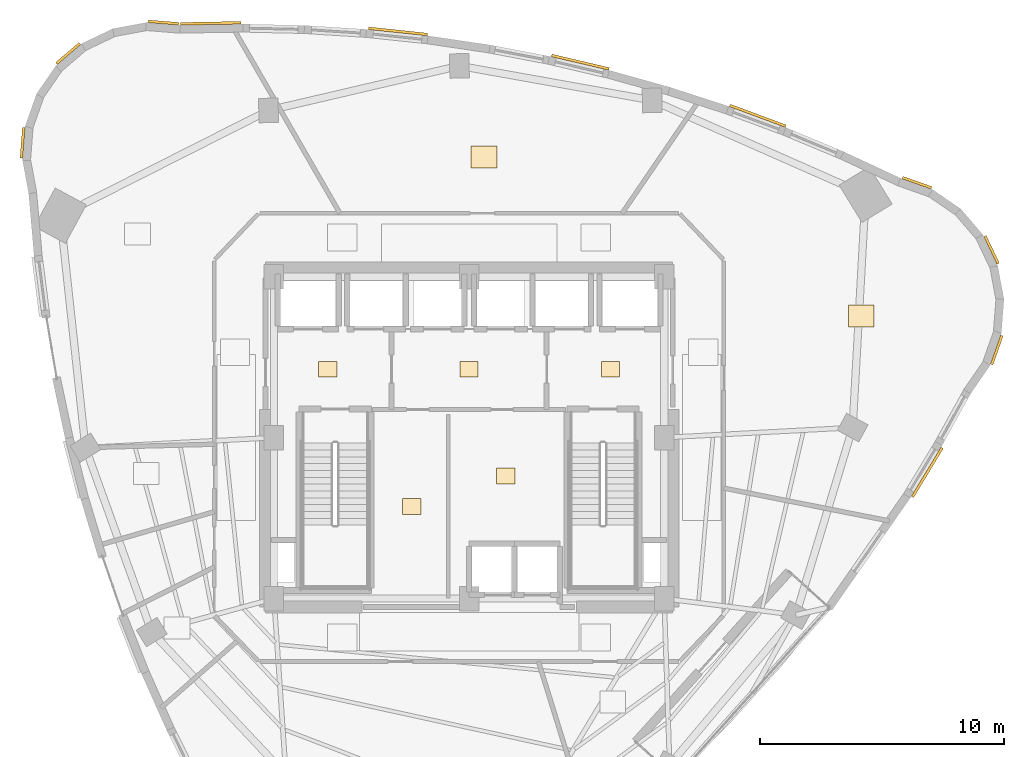
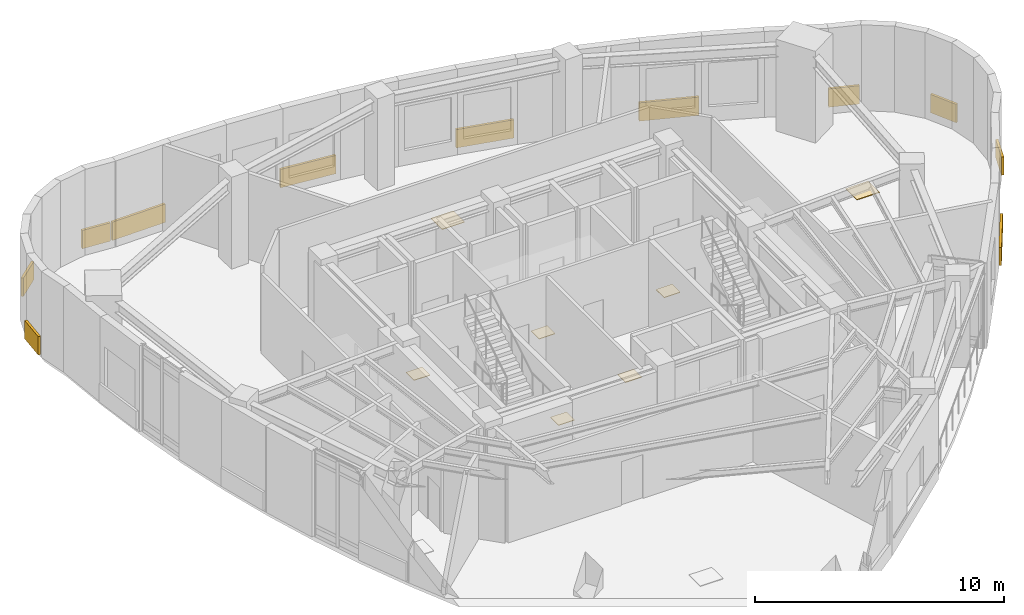
# One storey, part 18 of 18: 18 coverings.
"""IFC4 building model written with IfcOpenShell, lengths in metres."""

from ifc_helpers import new_model, si_unit, direction, frame, origin, origin_2d, place, context, subcontext, project, spatial, rectangle, extrude, material, layer, layer_set, type_object, element, save


model = new_model("IFC4")

# Units and contexts
model_context = context("Model", 3, precision=1e-05, world=origin(), true_north=direction((0.0, 1.0)))
body_context = subcontext(model_context, "Body", "Model", "MODEL_VIEW")
ifc_project = project(units=[si_unit("LENGTHUNIT", "METRE"), si_unit("AREAUNIT", "SQUARE_METRE"), si_unit("VOLUMEUNIT", "CUBIC_METRE"), si_unit("PLANEANGLEUNIT", "RADIAN"), si_unit("MASSUNIT", "GRAM", prefix="KILO")], contexts=[model_context])

# Site, building, storey
site_placement = place(None, origin())
site = spatial("IfcSite", under=ifc_project, at=site_placement, CompositionType="ELEMENT")
building_placement = place(site_placement, origin())
building = spatial("IfcBuilding", under=site, at=building_placement, Name="Ndelora Gate Hotel", CompositionType="ELEMENT")
storey_placement = place(building_placement, frame((0.0, 0.0, 173.75)))
storey = spatial("IfcBuildingStorey", under=building, at=storey_placement, Name="L43", CompositionType="ELEMENT", Elevation=173.75)

# Coverings
ifc_material_1 = material(Name="Terracotta Fired Clay Brick Slip Cladding", Category="masonry")
ifc_layer_1 = layer(ifc_material_1, 0.110107421875)
ifc_layer_set_1 = layer_set([ifc_layer_1], Name="Terracotta Fired Clay Brick Slip Cladding")
covering_type_1 = type_object("IfcCoveringType", Name="COV-CLAD-BRK", PredefinedType="CLADDING", material=ifc_layer_set_1)
for number, where, z_axis, x_axis, name in (
    (1, (-12.5302734375, 17.019287109375, 0.10009765625), (0.0, 0.0, 1.0), (-0.996917333733, 0.078459095728, 0.0), "L43 Rounded-Corner Brick Cladding Band 1"),
    (2, (-16.44189453125, 15.748291015625, 0.10009765625), (0.0, 0.0, 1.0), (0.7604059656, 0.64944804833, 0.0), "L43 Rounded-Corner Brick Cladding Band 4"),
    (3, (-18.30908203125, 12.08349609375, 0.10009765625), (0.0, 0.0, 1.0), (0.078459095728, 0.996917333733, 0.0), "L43 Rounded-Corner Brick Cladding Band 7"),
):
    element("IfcCovering", number, at=place(storey_placement, frame(where, z_axis=z_axis, x_axis=x_axis)), inside=storey, type_object=covering_type_1, Name=name, PredefinedType="CLADDING", context=body_context, shape_type="SweptSolid", body=[
        extrude(rectangle(XDim=1.257080078125, YDim=0.110107421875, at=origin_2d()), origin(), (0.0, 0.0, 1.0), 0.89990234375),
    ])
covering_1_placement = place(storey_placement, frame((18.7900390625, -1.427734375, 0.10009765625), z_axis=(0.0, 0.0, 1.0), x_axis=(0.517579070704, 0.855635381204, 0.0)))
element("IfcCovering", 4, at=covering_1_placement, inside=storey, type_object=covering_type_1, Name="L43 Rounded-Corner Brick Cladding Band 37", PredefinedType="CLADDING", context=body_context, shape_type="SweptSolid", body=[
    extrude(rectangle(XDim=2.35888671875, YDim=0.110107421875, at=origin_2d()), origin(), (0.0, 0.0, 1.0), 0.89990234375),
])
covering_2_placement = place(storey_placement, frame((21.64111328125, 3.591796875, 0.10009765625), z_axis=(0.0, 0.0, 1.0), x_axis=(0.333806859234, 0.942641491092, 0.0)))
element("IfcCovering", 5, at=covering_2_placement, inside=storey, type_object=covering_type_1, Name="L43 Rounded-Corner Brick Cladding Band 40", PredefinedType="CLADDING", context=body_context, shape_type="SweptSolid", body=[
    extrude(rectangle(XDim=1.257080078125, YDim=0.110107421875, at=origin_2d()), origin(), (0.0, 0.0, 1.0), 0.89990234375),
])
covering_3_placement = place(storey_placement, frame((21.42578125, 7.69921875, 0.10009765625), z_axis=(0.0, 0.0, 1.0), x_axis=(-0.430511096808, 0.90258528435, 0.0)))
element("IfcCovering", 6, at=covering_3_placement, inside=storey, type_object=covering_type_1, Name="L43 Rounded-Corner Brick Cladding Band 43", PredefinedType="CLADDING", context=body_context, shape_type="SweptSolid", body=[
    extrude(rectangle(XDim=1.258056640625, YDim=0.110107421875, at=origin_2d()), origin(), (0.0, 0.0, 1.0), 0.89990234375),
])
covering_4_placement = place(storey_placement, frame((18.369140625, 10.451416015625, 0.10009765625), z_axis=(0.0, 0.0, 1.0), x_axis=(-0.942641491092, 0.333806859234, 0.0)))
element("IfcCovering", 7, at=covering_4_placement, inside=storey, type_object=covering_type_1, Name="L43 Rounded-Corner Brick Cladding Band 46", PredefinedType="CLADDING", context=body_context, shape_type="SweptSolid", body=[
    extrude(rectangle(XDim=1.257080078125, YDim=0.110107421875, at=origin_2d()), origin(), (0.0, 0.0, 1.0), 0.89990234375),
])
covering_5_placement = place(storey_placement, frame((11.8388671875, 13.197509765625, 0.10009765625), z_axis=(0.0, 0.0, 1.0), x_axis=(-0.937525110258, 0.347917616161, 0.0)))
element("IfcCovering", 8, at=covering_5_placement, inside=storey, type_object=covering_type_1, Name="L43 Rounded-Corner Brick Cladding Band 49", PredefinedType="CLADDING", context=body_context, shape_type="SweptSolid", body=[
    extrude(rectangle(XDim=2.443115234375, YDim=0.110107421875, at=origin_2d()), origin(), (0.0, 0.0, 1.0), 0.89990234375),
])
covering_6_placement = place(storey_placement, frame((4.5625, 15.39404296875, 0.10009765625), z_axis=(0.0, 0.0, 1.0), x_axis=(-0.973578902873, 0.228350870111, 0.0)))
element("IfcCovering", 9, at=covering_6_placement, inside=storey, type_object=covering_type_1, Name="L43 Rounded-Corner Brick Cladding Band 52", PredefinedType="CLADDING", context=body_context, shape_type="SweptSolid", body=[
    extrude(rectangle(XDim=2.416015625, YDim=0.110107421875, at=origin_2d()), origin(), (0.0, 0.0, 1.0), 0.89990234375),
])
covering_7_placement = place(storey_placement, frame((-2.911865234375, 16.657958984375, 0.10009765625), z_axis=(0.0, 0.0, 1.0), x_axis=(-0.994503636562, 0.10470203849, 0.0)))
element("IfcCovering", 10, at=covering_7_placement, inside=storey, type_object=covering_type_1, Name="L43 Rounded-Corner Brick Cladding Band 55", PredefinedType="CLADDING", context=body_context, shape_type="SweptSolid", body=[
    extrude(rectangle(XDim=2.428955078125, YDim=0.110107421875, at=origin_2d()), origin(), (0.0, 0.0, 1.0), 0.89990234375),
])
covering_8_placement = place(storey_placement, frame((-10.583740234375, 16.989013671875, 0.10009765625), z_axis=(0.0, 0.0, 1.0), x_axis=(0.999850725947, 0.017277899829, 0.0)))
element("IfcCovering", 11, at=covering_8_placement, inside=storey, type_object=covering_type_1, Name="L43 Rounded-Corner Brick Cladding Band 58", PredefinedType="CLADDING", context=body_context, shape_type="SweptSolid", body=[
    extrude(rectangle(XDim=2.48193359375, YDim=0.110107421875, at=origin_2d()), origin(), (0.0, 0.0, 1.0), 0.89990234375),
])
ifc_material_2 = material(Name="Engineered Highland Oak Parquet", Category="wood")
ifc_layer_2 = layer(ifc_material_2, 0.030029296875)
ifc_layer_set_2 = layer_set([ifc_layer_2], Name="Engineered Highland Oak Parquet")
covering_type_2 = type_object("IfcCoveringType", Name="COV-FLR-PARQ", PredefinedType="FLOORING", material=ifc_layer_set_2)
for number, where, z_axis, x_axis, name in (
    (12, (16.08251953125, 4.984375, 0.0), (0.0, 0.0, 1.0), (1.0, 0.0, 0.0), "L43 Diplomatic Tea Dining Room Oak Parquet Flooring"),
    (13, (0.61181640625, 11.51318359375, 0.0), (0.0, 0.0, 1.0), (1.0, 0.0, 0.0), "L43 Summit Business Conference Room Oak Parquet Flooring"),
):
    element("IfcCovering", number, at=place(storey_placement, frame(where, z_axis=z_axis, x_axis=x_axis)), inside=storey, type_object=covering_type_2, Name=name, PredefinedType="FLOORING", context=body_context, shape_type="SweptSolid", body=[
        extrude(rectangle(XDim=1.050048828125, YDim=0.89990234375, at=origin_2d()), origin(), (0.0, 0.0, 1.0), 0.030029296875),
    ])
ifc_material_3 = material(Name="Non-Slip Porcelain Wet-Room Tile", Category="ceramic")
ifc_layer_3 = layer(ifc_material_3, 0.02490234375)
ifc_layer_set_3 = layer_set([ifc_layer_3], Name="Non-Slip Porcelain Wet-Room Tile")
covering_type_3 = type_object("IfcCoveringType", Name="COV-FLR-TILE", PredefinedType="FLOORING", material=ifc_layer_set_3)
for number, where, z_axis, x_axis, name in (
    (14, (-5.800048828125, 2.800048828125, 0.0), (0.0, 0.0, 1.0), (1.0, 0.0, 0.0), "L43 Firefighting Lift Lobby West Porcelain Tile Flooring"),
    (15, (5.800048828125, 2.800048828125, 0.0), (0.0, 0.0, 1.0), (1.0, 0.0, 0.0), "L43 Firefighting Lift Lobby East Porcelain Tile Flooring"),
    (16, (0.0, 2.800048828125, 0.0), (0.0, 0.0, 1.0), (1.0, 0.0, 0.0), "L43 Central Passenger Lift Lobby Porcelain Tile Flooring"),
    (17, (-2.35009765625, -2.824951171875, 0.0), (0.0, 0.0, 1.0), (1.0, 0.0, 0.0), "L43 Core Electrical Switchroom Porcelain Tile Flooring"),
    (18, (1.5, -1.574951171875, 0.0), (0.0, 0.0, 1.0), (1.0, 0.0, 0.0), "L43 Central Linen Equipment Store Porcelain Tile Flooring"),
):
    element("IfcCovering", number, at=place(storey_placement, frame(where, z_axis=z_axis, x_axis=x_axis)), inside=storey, type_object=covering_type_3, Name=name, PredefinedType="FLOORING", context=body_context, shape_type="SweptSolid", body=[
        extrude(rectangle(XDim=0.75, YDim=0.64990234375, at=origin_2d()), origin(), (0.0, 0.0, 1.0), 0.02490234375),
    ])

save(model, "model.ifc")
